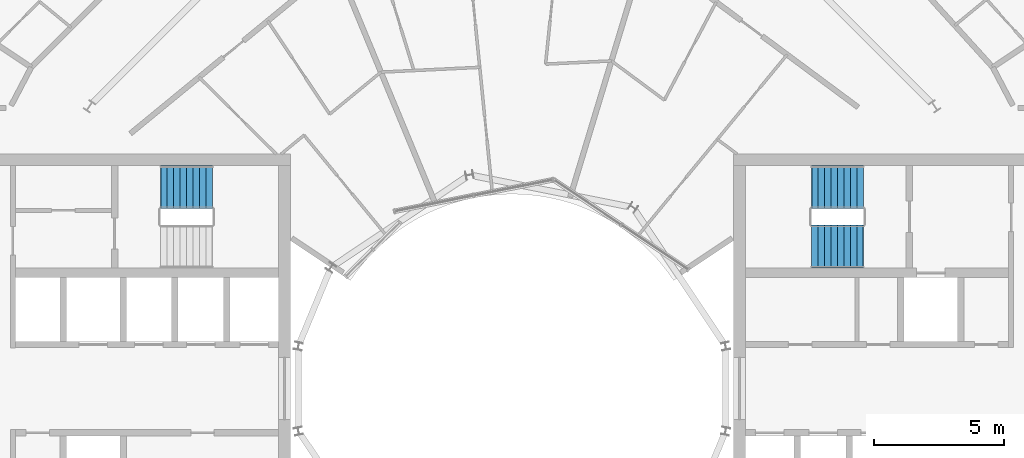
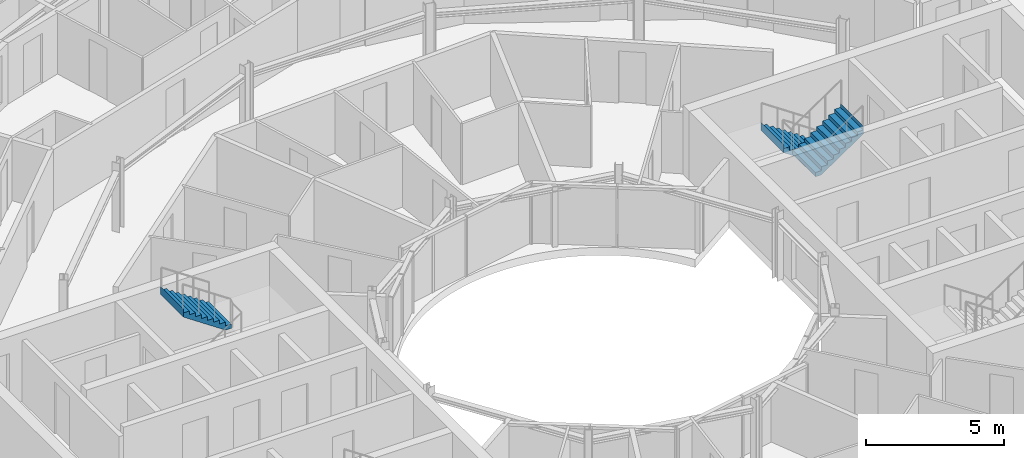
# One storey, part 27 of 29: 3 stair flights, 2 elements without a shape of their own.
"""IFC4 building model written with IfcOpenShell, lengths in metres."""

from ifc_helpers import new_model, si_unit, direction, frame, origin, place, context, subcontext, project, spatial, triangles, material, type_object, element, aggregate, save


model = new_model("IFC4")

# Units and contexts
model_context = context("Model", 3, precision=1e-05, world=origin(), true_north=direction((0.0, 1.0)))
body_context = subcontext(model_context, "Body", "Model", "MODEL_VIEW")
ifc_project = project(units=[si_unit("LENGTHUNIT", "METRE"), si_unit("AREAUNIT", "SQUARE_METRE"), si_unit("VOLUMEUNIT", "CUBIC_METRE"), si_unit("PLANEANGLEUNIT", "RADIAN"), si_unit("MASSUNIT", "GRAM", prefix="KILO")], contexts=[model_context])

# Site, building, storey
site_placement = place(None, origin())
site = spatial("IfcSite", under=ifc_project, at=site_placement, CompositionType="ELEMENT")
building_placement = place(site_placement, origin())
building = spatial("IfcBuilding", under=site, at=building_placement, Name="Maasbend Ring Residences", CompositionType="ELEMENT")
storey_placement = place(building_placement, frame((0.0, 0.0, 202.39990234375)))
storey = spatial("IfcBuildingStorey", under=building, at=storey_placement, Name="L58", CompositionType="ELEMENT", Elevation=202.39990234375)

# Stair, stair flights
ifc_material_1 = material(Name="Concrete C40/50", Category="concrete")
stair_type = type_object("IfcStairType", Name="CORE STAIR 18 RISERS", PredefinedType="HALF_TURN_STAIR", material=ifc_material_1)
stair_1_placement = place(storey_placement, origin())
stair_1 = element("IfcStair", 1, at=stair_1_placement, inside=storey, type_object=stair_type, Name="L58 Exit stair ST-E1", PredefinedType="HALF_TURN_STAIR")
ifc_material_2 = material(Name="Concrete C40/50", Category="concrete")
stair_flight_type = type_object("IfcStairFlightType", Name="CORE STAIR FLIGHT 1650", PredefinedType="STRAIGHT", material=ifc_material_2)
stair_flight_1_placement = place(storey_placement, frame((13.550048828125, 7.77490234375, 0.0), z_axis=(0.0, 0.0, 1.0), x_axis=(-1.0, 0.0, 0.0)))
stair_flight_1 = element("IfcStairFlight", 2, at=stair_flight_1_placement, type_object=stair_flight_type, Name="ST-E1 flight 1", NumberOfRisers=9, NumberOfTreads=8, PredefinedType="STRAIGHT", RiserHeight=0.169444444, TreadLength=0.25, context=body_context, shape_type="Tessellation", body=[
    triangles([(0.24072265625, 0.824951171875, -0.02001953125), (2.0029296875, 0.824951171875, 1.174560546875), (2.0029296875, 0.824951171875, 1.52490234375), (1.989990234375, 0.824951171875, 1.35546875), (1.75, 0.824951171875, 1.35546875), (1.75, 0.824951171875, 1.18603515625), (1.5, 0.824951171875, 1.18603515625), (1.5, 0.824951171875, 1.0166015625), (1.25, 0.824951171875, 1.0166015625), (1.25, 0.824951171875, 0.84716796875), (1.0, 0.824951171875, 0.84716796875), (1.0, 0.824951171875, 0.677734375), (0.75, 0.824951171875, 0.677734375), (0.75, 0.824951171875, 0.50830078125), (0.5, 0.824951171875, 0.50830078125), (0.5, 0.824951171875, 0.3388671875), (0.25, 0.824951171875, 0.3388671875), (0.25, 0.824951171875, 0.16943359375), (0.0, 0.824951171875, 0.16943359375), (0.0, 0.824951171875, 0.0), (-0.0029296875, 0.824951171875, 0.0), (-0.0029296875, 0.824951171875, -0.02001953125), (0.24072265625, 0.27490234375, -0.02001953125), (2.0029296875, 0.27490234375, 1.174560546875), (2.0029296875, 0.27490234375, 1.52490234375), (1.989990234375, 0.27490234375, 1.35546875), (1.75, 0.27490234375, 1.35546875), (1.75, 0.27490234375, 1.18603515625), (1.5, 0.27490234375, 1.18603515625), (1.5, 0.27490234375, 1.0166015625), (1.25, 0.27490234375, 1.0166015625), (1.25, 0.27490234375, 0.84716796875), (1.0, 0.27490234375, 0.84716796875), (1.0, 0.27490234375, 0.677734375), (0.75, 0.27490234375, 0.677734375), (0.75, 0.27490234375, 0.50830078125), (0.5, 0.27490234375, 0.50830078125), (0.5, 0.27490234375, 0.3388671875), (0.25, 0.27490234375, 0.3388671875), (0.25, 0.27490234375, 0.16943359375), (0.0, 0.27490234375, 0.16943359375), (0.0, 0.27490234375, 0.0), (-0.0029296875, 0.27490234375, 0.0), (-0.0029296875, 0.27490234375, -0.02001953125), (0.24072265625, -0.27490234375, -0.02001953125), (2.0029296875, -0.27490234375, 1.174560546875), (2.0029296875, -0.27490234375, 1.52490234375), (1.989990234375, -0.27490234375, 1.35546875), (1.75, -0.27490234375, 1.35546875), (1.75, -0.27490234375, 1.18603515625), (1.5, -0.27490234375, 1.18603515625), (1.5, -0.27490234375, 1.0166015625), (1.25, -0.27490234375, 1.0166015625), (1.25, -0.27490234375, 0.84716796875), (1.0, -0.27490234375, 0.84716796875), (1.0, -0.27490234375, 0.677734375), (0.75, -0.27490234375, 0.677734375), (0.75, -0.27490234375, 0.50830078125), (0.5, -0.27490234375, 0.50830078125), (0.5, -0.27490234375, 0.3388671875), (0.25, -0.27490234375, 0.3388671875), (0.25, -0.27490234375, 0.16943359375), (0.0, -0.27490234375, 0.16943359375), (0.0, -0.27490234375, 0.0), (-0.0029296875, -0.27490234375, 0.0), (-0.0029296875, -0.27490234375, -0.02001953125), (0.24072265625, -0.824951171875, -0.02001953125), (2.0029296875, -0.824951171875, 1.174560546875), (2.0029296875, -0.824951171875, 1.52490234375), (1.989990234375, -0.824951171875, 1.35546875), (1.75, -0.824951171875, 1.35546875), (1.75, -0.824951171875, 1.18603515625), (1.5, -0.824951171875, 1.18603515625), (1.5, -0.824951171875, 1.0166015625), (1.25, -0.824951171875, 1.0166015625), (1.25, -0.824951171875, 0.84716796875), (1.0, -0.824951171875, 0.84716796875), (1.0, -0.824951171875, 0.677734375), (0.75, -0.824951171875, 0.677734375), (0.75, -0.824951171875, 0.50830078125), (0.5, -0.824951171875, 0.50830078125), (0.5, -0.824951171875, 0.3388671875), (0.25, -0.824951171875, 0.3388671875), (0.25, -0.824951171875, 0.16943359375), (0.0, -0.824951171875, 0.16943359375), (0.0, -0.824951171875, 0.0), (-0.0029296875, -0.824951171875, 0.0), (-0.0029296875, -0.824951171875, -0.02001953125)], [[1, 2, 24], [1, 24, 23], [23, 24, 46], [23, 46, 45], [45, 46, 68], [45, 68, 67], [2, 3, 25], [2, 25, 24], [24, 25, 47], [24, 47, 46], [46, 47, 69], [46, 69, 68], [3, 4, 26], [3, 26, 25], [25, 26, 48], [25, 48, 47], [47, 48, 70], [47, 70, 69], [4, 5, 27], [4, 27, 26], [26, 27, 49], [26, 49, 48], [48, 49, 71], [48, 71, 70], [5, 6, 28], [5, 28, 27], [27, 28, 50], [27, 50, 49], [49, 50, 72], [49, 72, 71], [6, 7, 29], [6, 29, 28], [28, 29, 51], [28, 51, 50], [50, 51, 73], [50, 73, 72], [7, 8, 30], [7, 30, 29], [29, 30, 52], [29, 52, 51], [51, 52, 74], [51, 74, 73], [8, 9, 31], [8, 31, 30], [30, 31, 53], [30, 53, 52], [52, 53, 75], [52, 75, 74], [9, 10, 32], [9, 32, 31], [31, 32, 54], [31, 54, 53], [53, 54, 76], [53, 76, 75], [10, 11, 33], [10, 33, 32], [32, 33, 55], [32, 55, 54], [54, 55, 77], [54, 77, 76], [11, 12, 34], [11, 34, 33], [33, 34, 56], [33, 56, 55], [55, 56, 78], [55, 78, 77], [12, 13, 35], [12, 35, 34], [34, 35, 57], [34, 57, 56], [56, 57, 79], [56, 79, 78], [13, 14, 36], [13, 36, 35], [35, 36, 58], [35, 58, 57], [57, 58, 80], [57, 80, 79], [14, 15, 37], [14, 37, 36], [36, 37, 59], [36, 59, 58], [58, 59, 81], [58, 81, 80], [15, 16, 38], [15, 38, 37], [37, 38, 60], [37, 60, 59], [59, 60, 82], [59, 82, 81], [16, 17, 39], [16, 39, 38], [38, 39, 61], [38, 61, 60], [60, 61, 83], [60, 83, 82], [17, 18, 40], [17, 40, 39], [39, 40, 62], [39, 62, 61], [61, 62, 84], [61, 84, 83], [18, 19, 41], [18, 41, 40], [40, 41, 63], [40, 63, 62], [62, 63, 85], [62, 85, 84], [19, 20, 42], [19, 42, 41], [41, 42, 64], [41, 64, 63], [63, 64, 86], [63, 86, 85], [20, 21, 43], [20, 43, 42], [42, 43, 65], [42, 65, 64], [64, 65, 87], [64, 87, 86], [21, 22, 44], [21, 44, 43], [43, 44, 66], [43, 66, 65], [65, 66, 88], [65, 88, 87], [22, 1, 23], [22, 23, 44], [44, 23, 45], [44, 45, 66], [66, 45, 67], [66, 67, 88], [22, 2, 1], [2, 4, 3], [2, 5, 4], [2, 6, 5], [22, 6, 2], [6, 8, 7], [22, 8, 6], [8, 10, 9], [22, 10, 8], [10, 12, 11], [22, 12, 10], [12, 14, 13], [22, 14, 12], [14, 16, 15], [22, 16, 14], [16, 18, 17], [22, 18, 16], [18, 20, 19], [22, 20, 18], [20, 22, 21], [88, 67, 68], [68, 69, 70], [68, 70, 71], [68, 71, 72], [88, 68, 72], [72, 73, 74], [88, 72, 74], [74, 75, 76], [88, 74, 76], [76, 77, 78], [88, 76, 78], [78, 79, 80], [88, 78, 80], [80, 81, 82], [88, 80, 82], [82, 83, 84], [88, 82, 84], [84, 85, 86], [88, 84, 86], [86, 87, 88]], closed=True),
])
stair_flight_2_placement = place(storey_placement, frame((11.550048828125, 5.47509765625, 1.525146484375), z_axis=(0.0, 0.0, 1.0), x_axis=(1.0, 0.0, 0.0)))
stair_flight_2 = element("IfcStairFlight", 3, at=stair_flight_2_placement, type_object=stair_flight_type, Name="ST-E1 flight 2", NumberOfRisers=9, NumberOfTreads=8, PredefinedType="STRAIGHT", RiserHeight=0.169444444, TreadLength=0.25, context=body_context, shape_type="Tessellation", body=[
    triangles([(0.24072265625, 0.824951171875, -0.02001953125), (2.0029296875, 0.824951171875, 1.174560546875), (2.0029296875, 0.824951171875, 1.52490234375), (1.989990234375, 0.824951171875, 1.35546875), (1.75, 0.824951171875, 1.35546875), (1.75, 0.824951171875, 1.18603515625), (1.5, 0.824951171875, 1.18603515625), (1.5, 0.824951171875, 1.0166015625), (1.25, 0.824951171875, 1.0166015625), (1.25, 0.824951171875, 0.84716796875), (1.0, 0.824951171875, 0.84716796875), (1.0, 0.824951171875, 0.677734375), (0.75, 0.824951171875, 0.677734375), (0.75, 0.824951171875, 0.50830078125), (0.5, 0.824951171875, 0.50830078125), (0.5, 0.824951171875, 0.3388671875), (0.25, 0.824951171875, 0.3388671875), (0.25, 0.824951171875, 0.16943359375), (0.0, 0.824951171875, 0.16943359375), (0.0, 0.824951171875, 0.0), (-0.0029296875, 0.824951171875, 0.0), (-0.0029296875, 0.824951171875, -0.02001953125), (0.24072265625, 0.27490234375, -0.02001953125), (2.0029296875, 0.27490234375, 1.174560546875), (2.0029296875, 0.27490234375, 1.52490234375), (1.989990234375, 0.27490234375, 1.35546875), (1.75, 0.27490234375, 1.35546875), (1.75, 0.27490234375, 1.18603515625), (1.5, 0.27490234375, 1.18603515625), (1.5, 0.27490234375, 1.0166015625), (1.25, 0.27490234375, 1.0166015625), (1.25, 0.27490234375, 0.84716796875), (1.0, 0.27490234375, 0.84716796875), (1.0, 0.27490234375, 0.677734375), (0.75, 0.27490234375, 0.677734375), (0.75, 0.27490234375, 0.50830078125), (0.5, 0.27490234375, 0.50830078125), (0.5, 0.27490234375, 0.3388671875), (0.25, 0.27490234375, 0.3388671875), (0.25, 0.27490234375, 0.16943359375), (0.0, 0.27490234375, 0.16943359375), (0.0, 0.27490234375, 0.0), (-0.0029296875, 0.27490234375, 0.0), (-0.0029296875, 0.27490234375, -0.02001953125), (0.24072265625, -0.27490234375, -0.02001953125), (2.0029296875, -0.27490234375, 1.174560546875), (2.0029296875, -0.27490234375, 1.52490234375), (1.989990234375, -0.27490234375, 1.35546875), (1.75, -0.27490234375, 1.35546875), (1.75, -0.27490234375, 1.18603515625), (1.5, -0.27490234375, 1.18603515625), (1.5, -0.27490234375, 1.0166015625), (1.25, -0.27490234375, 1.0166015625), (1.25, -0.27490234375, 0.84716796875), (1.0, -0.27490234375, 0.84716796875), (1.0, -0.27490234375, 0.677734375), (0.75, -0.27490234375, 0.677734375), (0.75, -0.27490234375, 0.50830078125), (0.5, -0.27490234375, 0.50830078125), (0.5, -0.27490234375, 0.3388671875), (0.25, -0.27490234375, 0.3388671875), (0.25, -0.27490234375, 0.16943359375), (0.0, -0.27490234375, 0.16943359375), (0.0, -0.27490234375, 0.0), (-0.0029296875, -0.27490234375, 0.0), (-0.0029296875, -0.27490234375, -0.02001953125), (0.24072265625, -0.824951171875, -0.02001953125), (2.0029296875, -0.824951171875, 1.174560546875), (2.0029296875, -0.824951171875, 1.52490234375), (1.989990234375, -0.824951171875, 1.35546875), (1.75, -0.824951171875, 1.35546875), (1.75, -0.824951171875, 1.18603515625), (1.5, -0.824951171875, 1.18603515625), (1.5, -0.824951171875, 1.0166015625), (1.25, -0.824951171875, 1.0166015625), (1.25, -0.824951171875, 0.84716796875), (1.0, -0.824951171875, 0.84716796875), (1.0, -0.824951171875, 0.677734375), (0.75, -0.824951171875, 0.677734375), (0.75, -0.824951171875, 0.50830078125), (0.5, -0.824951171875, 0.50830078125), (0.5, -0.824951171875, 0.3388671875), (0.25, -0.824951171875, 0.3388671875), (0.25, -0.824951171875, 0.16943359375), (0.0, -0.824951171875, 0.16943359375), (0.0, -0.824951171875, 0.0), (-0.0029296875, -0.824951171875, 0.0), (-0.0029296875, -0.824951171875, -0.02001953125)], [[1, 2, 24], [1, 24, 23], [23, 24, 46], [23, 46, 45], [45, 46, 68], [45, 68, 67], [2, 3, 25], [2, 25, 24], [24, 25, 47], [24, 47, 46], [46, 47, 69], [46, 69, 68], [3, 4, 26], [3, 26, 25], [25, 26, 48], [25, 48, 47], [47, 48, 70], [47, 70, 69], [4, 5, 27], [4, 27, 26], [26, 27, 49], [26, 49, 48], [48, 49, 71], [48, 71, 70], [5, 6, 28], [5, 28, 27], [27, 28, 50], [27, 50, 49], [49, 50, 72], [49, 72, 71], [6, 7, 29], [6, 29, 28], [28, 29, 51], [28, 51, 50], [50, 51, 73], [50, 73, 72], [7, 8, 30], [7, 30, 29], [29, 30, 52], [29, 52, 51], [51, 52, 74], [51, 74, 73], [8, 9, 31], [8, 31, 30], [30, 31, 53], [30, 53, 52], [52, 53, 75], [52, 75, 74], [9, 10, 32], [9, 32, 31], [31, 32, 54], [31, 54, 53], [53, 54, 76], [53, 76, 75], [10, 11, 33], [10, 33, 32], [32, 33, 55], [32, 55, 54], [54, 55, 77], [54, 77, 76], [11, 12, 34], [11, 34, 33], [33, 34, 56], [33, 56, 55], [55, 56, 78], [55, 78, 77], [12, 13, 35], [12, 35, 34], [34, 35, 57], [34, 57, 56], [56, 57, 79], [56, 79, 78], [13, 14, 36], [13, 36, 35], [35, 36, 58], [35, 58, 57], [57, 58, 80], [57, 80, 79], [14, 15, 37], [14, 37, 36], [36, 37, 59], [36, 59, 58], [58, 59, 81], [58, 81, 80], [15, 16, 38], [15, 38, 37], [37, 38, 60], [37, 60, 59], [59, 60, 82], [59, 82, 81], [16, 17, 39], [16, 39, 38], [38, 39, 61], [38, 61, 60], [60, 61, 83], [60, 83, 82], [17, 18, 40], [17, 40, 39], [39, 40, 62], [39, 62, 61], [61, 62, 84], [61, 84, 83], [18, 19, 41], [18, 41, 40], [40, 41, 63], [40, 63, 62], [62, 63, 85], [62, 85, 84], [19, 20, 42], [19, 42, 41], [41, 42, 64], [41, 64, 63], [63, 64, 86], [63, 86, 85], [20, 21, 43], [20, 43, 42], [42, 43, 65], [42, 65, 64], [64, 65, 87], [64, 87, 86], [21, 22, 44], [21, 44, 43], [43, 44, 66], [43, 66, 65], [65, 66, 88], [65, 88, 87], [22, 1, 23], [22, 23, 44], [44, 23, 45], [44, 45, 66], [66, 45, 67], [66, 67, 88], [22, 2, 1], [2, 4, 3], [2, 5, 4], [2, 6, 5], [22, 6, 2], [6, 8, 7], [22, 8, 6], [8, 10, 9], [22, 10, 8], [10, 12, 11], [22, 12, 10], [12, 14, 13], [22, 14, 12], [14, 16, 15], [22, 16, 14], [16, 18, 17], [22, 18, 16], [18, 20, 19], [22, 20, 18], [20, 22, 21], [88, 67, 68], [68, 69, 70], [68, 70, 71], [68, 71, 72], [88, 68, 72], [72, 73, 74], [88, 72, 74], [74, 75, 76], [88, 74, 76], [76, 77, 78], [88, 76, 78], [78, 79, 80], [88, 78, 80], [80, 81, 82], [88, 80, 82], [82, 83, 84], [88, 82, 84], [84, 85, 86], [88, 84, 86], [86, 87, 88]], closed=True),
])
aggregate(stair_1, [stair_flight_1, stair_flight_2])

# Stair, stair flight
stair_2_placement = place(storey_placement, origin())
stair_2 = element("IfcStair", 4, at=stair_2_placement, inside=storey, type_object=stair_type, Name="L58 Exit stair ST-W2", PredefinedType="HALF_TURN_STAIR")
stair_flight_3_placement = place(storey_placement, frame((-11.550048828125, 7.77490234375, 1.525146484375), z_axis=(0.0, 0.0, 1.0), x_axis=(-1.0, 0.0, 0.0)))
stair_flight_3 = element("IfcStairFlight", 5, at=stair_flight_3_placement, type_object=stair_flight_type, Name="ST-W2 flight 2", NumberOfRisers=9, NumberOfTreads=8, PredefinedType="STRAIGHT", RiserHeight=0.169444444, TreadLength=0.25, context=body_context, shape_type="Tessellation", body=[
    triangles([(0.24072265625, 0.824951171875, -0.02001953125), (2.0029296875, 0.824951171875, 1.174560546875), (2.0029296875, 0.824951171875, 1.52490234375), (1.989990234375, 0.824951171875, 1.35546875), (1.75, 0.824951171875, 1.35546875), (1.75, 0.824951171875, 1.18603515625), (1.5, 0.824951171875, 1.18603515625), (1.5, 0.824951171875, 1.0166015625), (1.25, 0.824951171875, 1.0166015625), (1.25, 0.824951171875, 0.84716796875), (1.0, 0.824951171875, 0.84716796875), (1.0, 0.824951171875, 0.677734375), (0.75, 0.824951171875, 0.677734375), (0.75, 0.824951171875, 0.50830078125), (0.5, 0.824951171875, 0.50830078125), (0.5, 0.824951171875, 0.3388671875), (0.25, 0.824951171875, 0.3388671875), (0.25, 0.824951171875, 0.16943359375), (0.0, 0.824951171875, 0.16943359375), (0.0, 0.824951171875, 0.0), (-0.0029296875, 0.824951171875, 0.0), (-0.0029296875, 0.824951171875, -0.02001953125), (0.24072265625, 0.27490234375, -0.02001953125), (2.0029296875, 0.27490234375, 1.174560546875), (2.0029296875, 0.27490234375, 1.52490234375), (1.989990234375, 0.27490234375, 1.35546875), (1.75, 0.27490234375, 1.35546875), (1.75, 0.27490234375, 1.18603515625), (1.5, 0.27490234375, 1.18603515625), (1.5, 0.27490234375, 1.0166015625), (1.25, 0.27490234375, 1.0166015625), (1.25, 0.27490234375, 0.84716796875), (1.0, 0.27490234375, 0.84716796875), (1.0, 0.27490234375, 0.677734375), (0.75, 0.27490234375, 0.677734375), (0.75, 0.27490234375, 0.50830078125), (0.5, 0.27490234375, 0.50830078125), (0.5, 0.27490234375, 0.3388671875), (0.25, 0.27490234375, 0.3388671875), (0.25, 0.27490234375, 0.16943359375), (0.0, 0.27490234375, 0.16943359375), (0.0, 0.27490234375, 0.0), (-0.0029296875, 0.27490234375, 0.0), (-0.0029296875, 0.27490234375, -0.02001953125), (0.24072265625, -0.27490234375, -0.02001953125), (2.0029296875, -0.27490234375, 1.174560546875), (2.0029296875, -0.27490234375, 1.52490234375), (1.989990234375, -0.27490234375, 1.35546875), (1.75, -0.27490234375, 1.35546875), (1.75, -0.27490234375, 1.18603515625), (1.5, -0.27490234375, 1.18603515625), (1.5, -0.27490234375, 1.0166015625), (1.25, -0.27490234375, 1.0166015625), (1.25, -0.27490234375, 0.84716796875), (1.0, -0.27490234375, 0.84716796875), (1.0, -0.27490234375, 0.677734375), (0.75, -0.27490234375, 0.677734375), (0.75, -0.27490234375, 0.50830078125), (0.5, -0.27490234375, 0.50830078125), (0.5, -0.27490234375, 0.3388671875), (0.25, -0.27490234375, 0.3388671875), (0.25, -0.27490234375, 0.16943359375), (0.0, -0.27490234375, 0.16943359375), (0.0, -0.27490234375, 0.0), (-0.0029296875, -0.27490234375, 0.0), (-0.0029296875, -0.27490234375, -0.02001953125), (0.24072265625, -0.824951171875, -0.02001953125), (2.0029296875, -0.824951171875, 1.174560546875), (2.0029296875, -0.824951171875, 1.52490234375), (1.989990234375, -0.824951171875, 1.35546875), (1.75, -0.824951171875, 1.35546875), (1.75, -0.824951171875, 1.18603515625), (1.5, -0.824951171875, 1.18603515625), (1.5, -0.824951171875, 1.0166015625), (1.25, -0.824951171875, 1.0166015625), (1.25, -0.824951171875, 0.84716796875), (1.0, -0.824951171875, 0.84716796875), (1.0, -0.824951171875, 0.677734375), (0.75, -0.824951171875, 0.677734375), (0.75, -0.824951171875, 0.50830078125), (0.5, -0.824951171875, 0.50830078125), (0.5, -0.824951171875, 0.3388671875), (0.25, -0.824951171875, 0.3388671875), (0.25, -0.824951171875, 0.16943359375), (0.0, -0.824951171875, 0.16943359375), (0.0, -0.824951171875, 0.0), (-0.0029296875, -0.824951171875, 0.0), (-0.0029296875, -0.824951171875, -0.02001953125)], [[1, 2, 24], [1, 24, 23], [23, 24, 46], [23, 46, 45], [45, 46, 68], [45, 68, 67], [2, 3, 25], [2, 25, 24], [24, 25, 47], [24, 47, 46], [46, 47, 69], [46, 69, 68], [3, 4, 26], [3, 26, 25], [25, 26, 48], [25, 48, 47], [47, 48, 70], [47, 70, 69], [4, 5, 27], [4, 27, 26], [26, 27, 49], [26, 49, 48], [48, 49, 71], [48, 71, 70], [5, 6, 28], [5, 28, 27], [27, 28, 50], [27, 50, 49], [49, 50, 72], [49, 72, 71], [6, 7, 29], [6, 29, 28], [28, 29, 51], [28, 51, 50], [50, 51, 73], [50, 73, 72], [7, 8, 30], [7, 30, 29], [29, 30, 52], [29, 52, 51], [51, 52, 74], [51, 74, 73], [8, 9, 31], [8, 31, 30], [30, 31, 53], [30, 53, 52], [52, 53, 75], [52, 75, 74], [9, 10, 32], [9, 32, 31], [31, 32, 54], [31, 54, 53], [53, 54, 76], [53, 76, 75], [10, 11, 33], [10, 33, 32], [32, 33, 55], [32, 55, 54], [54, 55, 77], [54, 77, 76], [11, 12, 34], [11, 34, 33], [33, 34, 56], [33, 56, 55], [55, 56, 78], [55, 78, 77], [12, 13, 35], [12, 35, 34], [34, 35, 57], [34, 57, 56], [56, 57, 79], [56, 79, 78], [13, 14, 36], [13, 36, 35], [35, 36, 58], [35, 58, 57], [57, 58, 80], [57, 80, 79], [14, 15, 37], [14, 37, 36], [36, 37, 59], [36, 59, 58], [58, 59, 81], [58, 81, 80], [15, 16, 38], [15, 38, 37], [37, 38, 60], [37, 60, 59], [59, 60, 82], [59, 82, 81], [16, 17, 39], [16, 39, 38], [38, 39, 61], [38, 61, 60], [60, 61, 83], [60, 83, 82], [17, 18, 40], [17, 40, 39], [39, 40, 62], [39, 62, 61], [61, 62, 84], [61, 84, 83], [18, 19, 41], [18, 41, 40], [40, 41, 63], [40, 63, 62], [62, 63, 85], [62, 85, 84], [19, 20, 42], [19, 42, 41], [41, 42, 64], [41, 64, 63], [63, 64, 86], [63, 86, 85], [20, 21, 43], [20, 43, 42], [42, 43, 65], [42, 65, 64], [64, 65, 87], [64, 87, 86], [21, 22, 44], [21, 44, 43], [43, 44, 66], [43, 66, 65], [65, 66, 88], [65, 88, 87], [22, 1, 23], [22, 23, 44], [44, 23, 45], [44, 45, 66], [66, 45, 67], [66, 67, 88], [22, 2, 1], [2, 4, 3], [2, 5, 4], [2, 6, 5], [22, 6, 2], [6, 8, 7], [22, 8, 6], [8, 10, 9], [22, 10, 8], [10, 12, 11], [22, 12, 10], [12, 14, 13], [22, 14, 12], [14, 16, 15], [22, 16, 14], [16, 18, 17], [22, 18, 16], [18, 20, 19], [22, 20, 18], [20, 22, 21], [88, 67, 68], [68, 69, 70], [68, 70, 71], [68, 71, 72], [88, 68, 72], [72, 73, 74], [88, 72, 74], [74, 75, 76], [88, 74, 76], [76, 77, 78], [88, 76, 78], [78, 79, 80], [88, 78, 80], [80, 81, 82], [88, 80, 82], [82, 83, 84], [88, 82, 84], [84, 85, 86], [88, 84, 86], [86, 87, 88]], closed=True),
])
aggregate(stair_2, [stair_flight_3])

save(model, "model.ifc")
